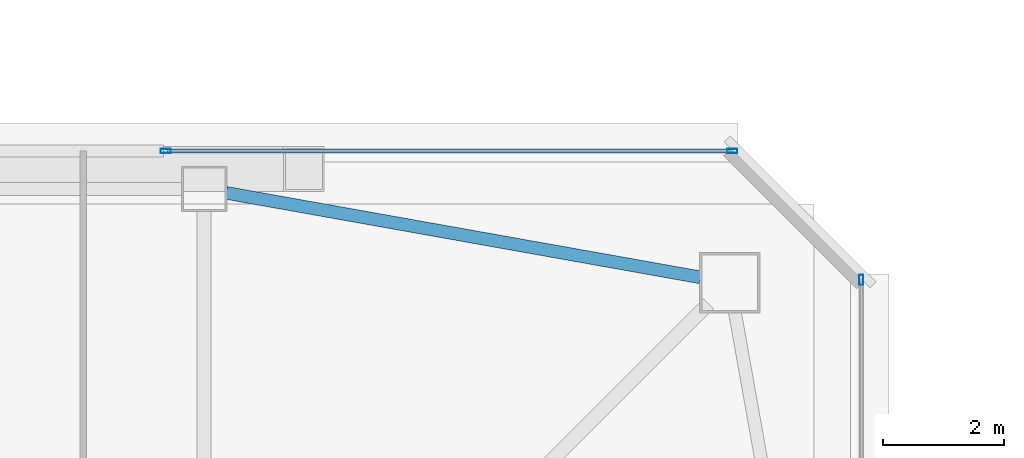
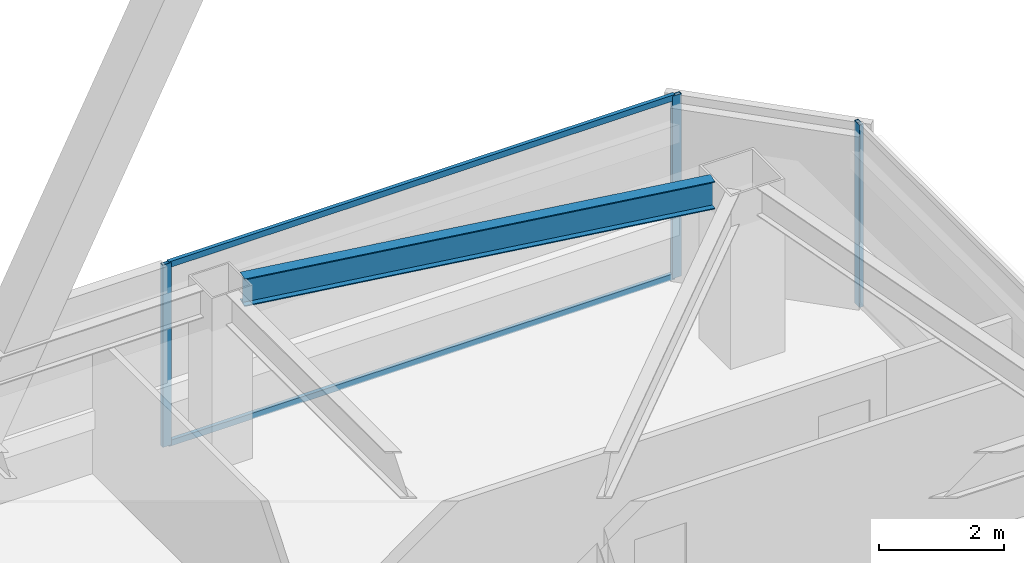
# One storey, part 16 of 47: 5 members, 1 beam, 2 elements without a shape of their own.
"""IFC4 building model written with IfcOpenShell, lengths in metres."""

from ifc_helpers import new_model, si_unit, direction, frame, origin, origin_2d, place, context, subcontext, project, spatial, hollow_rectangle, i_section, extrude, material, material_profile, profile_set, type_object, element, aggregate, save


model = new_model("IFC4")

# Units and contexts
model_context = context("Model", 3, precision=1e-05, world=origin(), true_north=direction((0.0, 1.0)))
body_context = subcontext(model_context, "Body", "Model", "MODEL_VIEW")
ifc_project = project(units=[si_unit("LENGTHUNIT", "METRE"), si_unit("AREAUNIT", "SQUARE_METRE"), si_unit("VOLUMEUNIT", "CUBIC_METRE"), si_unit("PLANEANGLEUNIT", "RADIAN"), si_unit("MASSUNIT", "GRAM", prefix="KILO")], contexts=[model_context])

# Site, building, storey
site_placement = place(None, origin())
site = spatial("IfcSite", under=ifc_project, at=site_placement, CompositionType="ELEMENT")
building_placement = place(site_placement, origin())
building = spatial("IfcBuilding", under=site, at=building_placement, Name="Tashvorn Skyway Center", CompositionType="ELEMENT")
storey_placement = place(building_placement, frame((0.0, 0.0, 204.199951171875)))
storey = spatial("IfcBuildingStorey", under=building, at=storey_placement, Name="L55", CompositionType="ELEMENT", Elevation=204.199951171875)

# Beam
ifc_material_1 = material(Name="Steel ASTM A992 Grade 50", Category="steel")
ifc_material_profile_1 = material_profile(ifc_material_1, i_section(OverallWidth=0.2109375, OverallDepth=0.5390625, WebThickness=0.01171875, FlangeThickness=0.018798828125, at=origin_2d()), Name="W21X73")
ifc_profile_set_1 = profile_set([ifc_material_profile_1], Name="Steel ASTM A992 Grade 50")
beam_type = type_object("IfcBeamType", Name="BM-SPANDREL-W21X73", PredefinedType="SPANDREL", material=ifc_profile_set_1)
beam_placement = place(storey_placement, frame((55.61279296875, 46.186767578125, 3.1005859375), z_axis=(-0.984494883191, 0.17541329759, 0.0), x_axis=(-0.17541329759, -0.984494883191, 0.0)))
element("IfcBeam", 1, at=beam_placement, inside=storey, type_object=beam_type, Name="Tower 1 L55 Spandrel Beam 07", PredefinedType="SPANDREL", context=body_context, shape_type="SweptSolid", body=[
    extrude(i_section(OverallWidth=0.2109375, OverallDepth=0.5390625, WebThickness=0.01171875, FlangeThickness=0.018798828125, at=origin_2d()), origin(), (0.0, 0.0, 1.0), 7.97216796875),
])

# Curtain wall, members
ifc_material_2 = material(Name="Thermally broken bronze-anodized aluminium 6063-T6", Category="aluminium")
curtain_wall_type = type_object("IfcCurtainWallType", Name="CW-CW-Z5", PredefinedType="NOTDEFINED", material=ifc_material_2)
curtain_wall_1_placement = place(storey_placement, origin())
curtain_wall_1 = element("IfcCurtainWall", 2, at=curtain_wall_1_placement, inside=storey, type_object=curtain_wall_type, Name="Tower 1 L55 North Unitised Curtain Wall Glazing Group 2", PredefinedType="NOTDEFINED")
ifc_material_profile_2 = material_profile(ifc_material_2, hollow_rectangle(XDim=0.070068359375, YDim=0.1650390625, WallThickness=0.00390625, at=origin_2d()), Name="ALU-MULL-70x165")
ifc_profile_set_2 = profile_set([ifc_material_profile_2], Name="Thermally broken bronze-anodized aluminium 6063-T6")
member_type_1 = type_object("IfcMemberType", Name="CWM-CW-Z5", PredefinedType="MULLION", material=ifc_profile_set_2)
member_1_placement = place(storey_placement, frame((46.76171875, 48.280029296875, 0.0), z_axis=(0.0, 0.0, 1.0), x_axis=(0.0, 1.0, 0.0)))
member_1 = element("IfcMember", 3, at=member_1_placement, type_object=member_type_1, Name="CW-Z5 mullion 1", PredefinedType="MULLION", context=body_context, shape_type="SweptSolid", body=[
    extrude(hollow_rectangle(XDim=0.070068359375, YDim=0.1650390625, WallThickness=0.00390625, at=origin_2d()), origin(), (0.0, 0.0, 1.0), 3.550048828125),
])
member_2_placement = place(storey_placement, frame((56.14501953125, 48.280029296875, 0.0), z_axis=(0.0, 0.0, 1.0), x_axis=(0.0, 1.0, 0.0)))
member_2 = element("IfcMember", 4, at=member_2_placement, type_object=member_type_1, Name="CW-Z5 mullion 2", PredefinedType="MULLION", context=body_context, shape_type="SweptSolid", body=[
    extrude(hollow_rectangle(XDim=0.070068359375, YDim=0.1650390625, WallThickness=0.00390625, at=origin_2d()), origin(), (0.0, 0.0, 1.0), 3.550048828125),
])

# Curtain wall, member
curtain_wall_2_placement = place(storey_placement, origin())
curtain_wall_2 = element("IfcCurtainWall", 5, at=curtain_wall_2_placement, inside=storey, type_object=curtain_wall_type, Name="Tower 1 L55 East Unitised Curtain Wall Glazing Group 1", PredefinedType="NOTDEFINED")
member_3_placement = place(storey_placement, frame((58.280029296875, 46.14501953125, 0.0), z_axis=(0.0, 0.0, 1.0), x_axis=(1.0, 0.0, 0.0)))
member_3 = element("IfcMember", 6, at=member_3_placement, type_object=member_type_1, Name="CW-Z5 mullion 1", PredefinedType="MULLION", context=body_context, shape_type="SweptSolid", body=[
    extrude(hollow_rectangle(XDim=0.070068359375, YDim=0.1650390625, WallThickness=0.00390625, at=origin_2d()), origin(), (0.0, 0.0, 1.0), 3.550048828125),
])
aggregate(curtain_wall_2, [member_3])

# Member
ifc_material_profile_3 = material_profile(ifc_material_2, hollow_rectangle(XDim=0.070068359375, YDim=0.114990234375, WallThickness=0.00390625, at=origin_2d()), Name="ALU-TRAN-70x115")
ifc_profile_set_3 = profile_set([ifc_material_profile_3], Name="Thermally broken bronze-anodized aluminium 6063-T6")
member_type_2 = type_object("IfcMemberType", Name="CWT-CW-Z5", PredefinedType="USERDEFINED", material=ifc_profile_set_3)
member_4_placement = place(storey_placement, frame((46.796630859375, 48.280029296875, 0.03515625), z_axis=(1.0, 0.0, 0.0), x_axis=(0.0, 1.0, 0.0)))
member_4 = element("IfcMember", 7, at=member_4_placement, type_object=member_type_2, Name="CW-Z5 transom 1.1", ObjectType="TRANSOM", PredefinedType="USERDEFINED", context=body_context, shape_type="SweptSolid", body=[
    extrude(hollow_rectangle(XDim=0.070068359375, YDim=0.114990234375, WallThickness=0.00390625, at=origin_2d()), origin(), (0.0, 0.0, 1.0), 9.3134765625),
])

member_5_placement = place(storey_placement, frame((46.796630859375, 48.280029296875, 3.51513671875), z_axis=(1.0, 0.0, 0.0), x_axis=(0.0, 1.0, 0.0)))
member_5 = element("IfcMember", 8, at=member_5_placement, type_object=member_type_2, Name="CW-Z5 transom 1.2", ObjectType="TRANSOM", PredefinedType="USERDEFINED", context=body_context, shape_type="SweptSolid", body=[
    extrude(hollow_rectangle(XDim=0.070068359375, YDim=0.114990234375, WallThickness=0.00390625, at=origin_2d()), origin(), (0.0, 0.0, 1.0), 9.3134765625),
])

aggregate(curtain_wall_1, [member_1, member_2, member_4, member_5])

save(model, "model.ifc")
